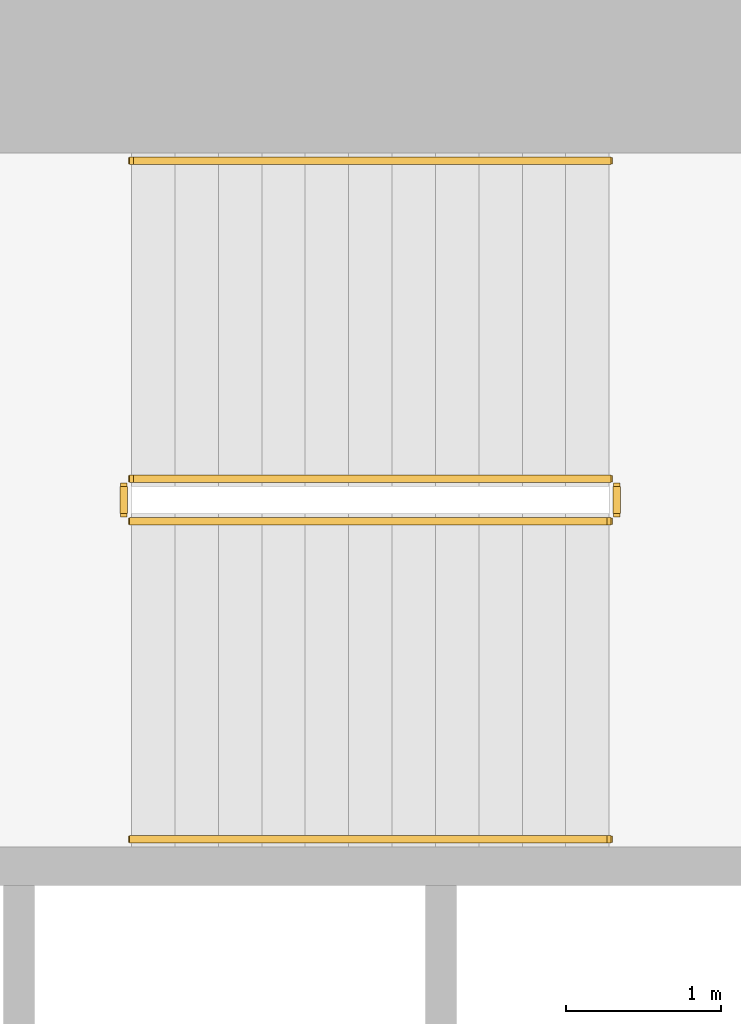
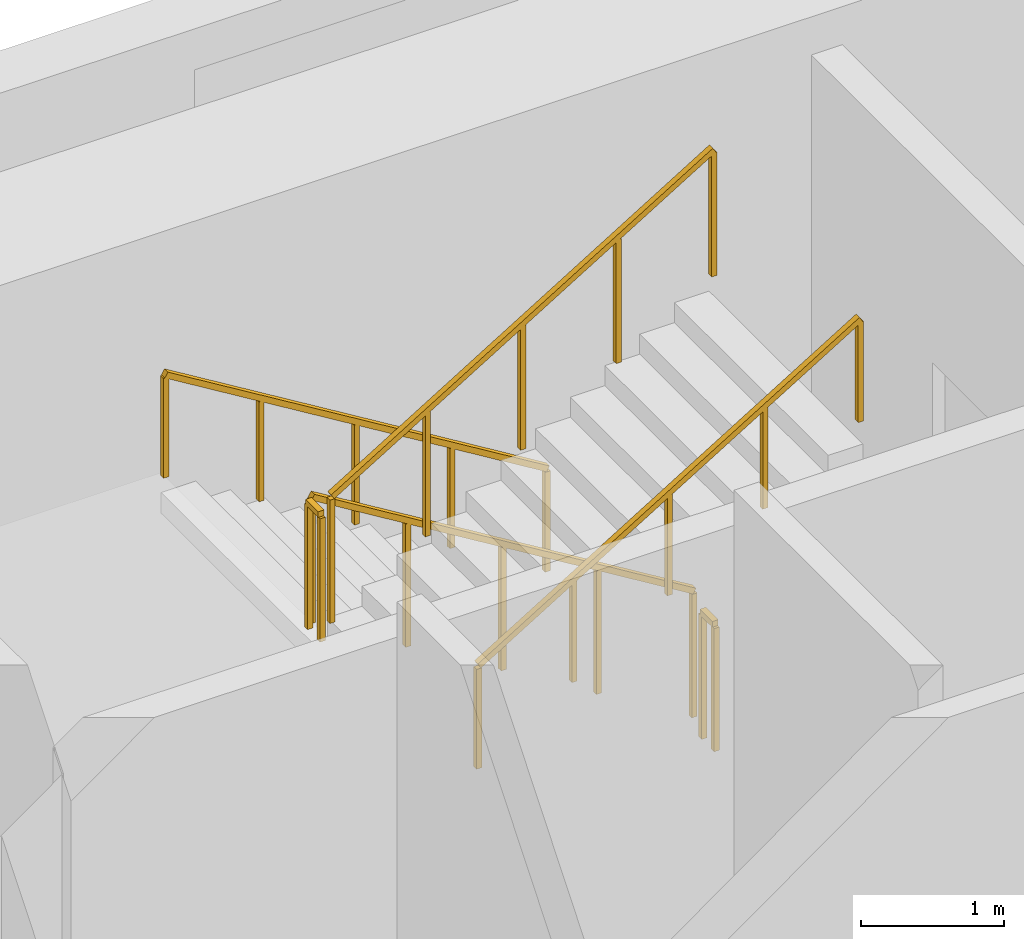
# One storey, part 13 of 14: 6 railings.
"""IFC4 building model written with IfcOpenShell, lengths in metres."""

from ifc_helpers import new_model, si_unit, direction, frame, origin, origin_2d, place, context, subcontext, project, spatial, rectangle, extrude, material, type_object, element, save


model = new_model("IFC4")

# Units and contexts
model_context = context("Model", 3, precision=1e-05, world=origin(), true_north=direction((0.0, 1.0)))
body_context = subcontext(model_context, "Body", "Model", "MODEL_VIEW")
ifc_project = project(units=[si_unit("LENGTHUNIT", "METRE"), si_unit("AREAUNIT", "SQUARE_METRE"), si_unit("VOLUMEUNIT", "CUBIC_METRE"), si_unit("PLANEANGLEUNIT", "RADIAN"), si_unit("MASSUNIT", "GRAM", prefix="KILO")], contexts=[model_context])

# Site, building, storey
site_placement = place(None, origin())
site = spatial("IfcSite", under=ifc_project, at=site_placement, CompositionType="ELEMENT")
building_placement = place(site_placement, origin())
building = spatial("IfcBuilding", under=site, at=building_placement, Name="Cypress Arch Tower", CompositionType="ELEMENT")
storey_placement = place(building_placement, frame((0.0, 0.0, 296.699951171875)))
storey = spatial("IfcBuildingStorey", under=building, at=storey_placement, Name="L67", CompositionType="ELEMENT", Elevation=296.699951171875)

# Railings
ifc_material_1 = material(Name="Black powder-coated steel square bar 48 mm", Category="steel")
railing_type_1 = type_object("IfcRailingType", Name="Stair handrail HR1", PredefinedType="HANDRAIL", material=ifc_material_1)
railing_1_placement = place(storey_placement, frame((-22.27490234375, 14.75, 0.1708984375)))
element("IfcRailing", 1, at=railing_1_placement, inside=storey, type_object=railing_type_1, Name="L67 B stair handrail 1", PredefinedType="HANDRAIL", context=body_context, shape_type="SweptSolid", body=[
    extrude(rectangle(XDim=0.048095703125, YDim=0.048095703125, at=origin_2d()), frame((0.0, 0.0, 0.8759765625), z_axis=(-0.853666305674, 0.0, 0.52082035152), x_axis=(0.0, -1.0, 0.0)), (0.0, 0.0, 1.0), 3.608154296875),
    extrude(rectangle(XDim=0.0419921875, YDim=0.0419921875, at=origin_2d()), origin(), (0.0, 0.0, 1.0), 0.851806640625),
    extrude(rectangle(XDim=0.0419921875, YDim=0.0419921875, at=origin_2d()), frame((-0.77001953125, 0.0, 0.4697265625)), (0.0, 0.0, 1.0), 0.851806640625),
    extrude(rectangle(XDim=0.0419921875, YDim=0.0419921875, at=origin_2d()), frame((-1.5400390625, 0.0, 0.939453125)), (0.0, 0.0, 1.0), 0.851806640625),
    extrude(rectangle(XDim=0.0419921875, YDim=0.0419921875, at=origin_2d()), frame((-2.31005859375, 0.0, 1.409423828125)), (0.0, 0.0, 1.0), 0.851806640625),
    extrude(rectangle(XDim=0.0419921875, YDim=0.0419921875, at=origin_2d()), frame((-3.080078125, 0.0, 1.879150390625)), (0.0, 0.0, 1.0), 0.851806640625),
])
railing_2_placement = place(storey_placement, frame((-25.35498046875, 10.375, 2.220947265625)))
element("IfcRailing", 2, at=railing_2_placement, inside=storey, type_object=railing_type_1, Name="L67 B stair handrail 2", PredefinedType="HANDRAIL", context=body_context, shape_type="SweptSolid", body=[
    extrude(rectangle(XDim=0.048095703125, YDim=0.048095703125, at=origin_2d()), frame((0.0, 0.0, 0.8759765625), z_axis=(0.853666305674, 0.0, 0.52082035152), x_axis=(0.0, 1.0, 0.0)), (0.0, 0.0, 1.0), 3.608154296875),
    extrude(rectangle(XDim=0.0419921875, YDim=0.0419921875, at=origin_2d()), origin(), (0.0, 0.0, 1.0), 0.851806640625),
    extrude(rectangle(XDim=0.0419921875, YDim=0.0419921875, at=origin_2d()), frame((0.77001953125, 0.0, 0.4697265625)), (0.0, 0.0, 1.0), 0.851806640625),
    extrude(rectangle(XDim=0.0419921875, YDim=0.0419921875, at=origin_2d()), frame((1.5400390625, 0.0, 0.939453125)), (0.0, 0.0, 1.0), 0.851806640625),
    extrude(rectangle(XDim=0.0419921875, YDim=0.0419921875, at=origin_2d()), frame((2.31005859375, 0.0, 1.409423828125)), (0.0, 0.0, 1.0), 0.851806640625),
    extrude(rectangle(XDim=0.0419921875, YDim=0.0419921875, at=origin_2d()), frame((3.080078125, 0.0, 1.879150390625)), (0.0, 0.0, 1.0), 0.851806640625),
])
ifc_material_2 = material(Name="Black powder-coated steel balusters", Category="steel")
railing_type_2 = type_object("IfcRailingType", Name="Stair well guard G1", PredefinedType="GUARDRAIL", material=ifc_material_2)
railing_3_placement = place(storey_placement, frame((-22.27490234375, 12.699951171875, 0.1708984375)))
element("IfcRailing", 3, at=railing_3_placement, inside=storey, type_object=railing_type_2, Name="L67 B stair guard 1", PredefinedType="GUARDRAIL", context=body_context, shape_type="SweptSolid", body=[
    extrude(rectangle(XDim=0.048095703125, YDim=0.048095703125, at=origin_2d()), frame((0.0, 0.0, 1.076171875), z_axis=(-0.853666305674, 0.0, 0.52082035152), x_axis=(0.0, -1.0, 0.0)), (0.0, 0.0, 1.0), 3.608154296875),
    extrude(rectangle(XDim=0.0419921875, YDim=0.0419921875, at=origin_2d()), origin(), (0.0, 0.0, 1.0), 1.052001953125),
    extrude(rectangle(XDim=0.0419921875, YDim=0.0419921875, at=origin_2d()), frame((-0.77001953125, 0.0, 0.4697265625)), (0.0, 0.0, 1.0), 1.052001953125),
    extrude(rectangle(XDim=0.0419921875, YDim=0.0419921875, at=origin_2d()), frame((-1.5400390625, 0.0, 0.939453125)), (0.0, 0.0, 1.0), 1.052001953125),
    extrude(rectangle(XDim=0.0419921875, YDim=0.0419921875, at=origin_2d()), frame((-2.31005859375, 0.0, 1.409423828125)), (0.0, 0.0, 1.0), 1.052001953125),
    extrude(rectangle(XDim=0.0419921875, YDim=0.0419921875, at=origin_2d()), frame((-3.080078125, 0.0, 1.879150390625)), (0.0, 0.0, 1.0), 1.052001953125),
])
railing_4_placement = place(storey_placement, frame((-25.405029296875, 12.64990234375, 2.050048828125)))
element("IfcRailing", 4, at=railing_4_placement, inside=storey, type_object=railing_type_2, Name="L67 B stair guard 2", PredefinedType="GUARDRAIL", context=body_context, shape_type="SweptSolid", body=[
    extrude(rectangle(XDim=0.048095703125, YDim=0.048095703125, at=origin_2d()), frame((0.0, 0.0, 1.076171875), z_axis=(0.0, -1.0, 0.0), x_axis=(1.0, 0.0, 0.0)), (0.0, 0.0, 1.0), 0.1748046875),
    extrude(rectangle(XDim=0.0419921875, YDim=0.0419921875, at=origin_2d()), origin(), (0.0, 0.0, 1.0), 1.052001953125),
    extrude(rectangle(XDim=0.0419921875, YDim=0.0419921875, at=origin_2d()), frame((0.0, -0.1748046875, 0.0)), (0.0, 0.0, 1.0), 1.052001953125),
])
railing_5_placement = place(storey_placement, frame((-25.35498046875, 12.425048828125, 2.220947265625)))
element("IfcRailing", 5, at=railing_5_placement, inside=storey, type_object=railing_type_2, Name="L67 B stair guard 3", PredefinedType="GUARDRAIL", context=body_context, shape_type="SweptSolid", body=[
    extrude(rectangle(XDim=0.048095703125, YDim=0.048095703125, at=origin_2d()), frame((0.0, 0.0, 1.076171875), z_axis=(0.853666305674, 0.0, 0.52082035152), x_axis=(0.0, 1.0, 0.0)), (0.0, 0.0, 1.0), 3.608154296875),
    extrude(rectangle(XDim=0.0419921875, YDim=0.0419921875, at=origin_2d()), origin(), (0.0, 0.0, 1.0), 1.052001953125),
    extrude(rectangle(XDim=0.0419921875, YDim=0.0419921875, at=origin_2d()), frame((0.77001953125, 0.0, 0.4697265625)), (0.0, 0.0, 1.0), 1.052001953125),
    extrude(rectangle(XDim=0.0419921875, YDim=0.0419921875, at=origin_2d()), frame((1.5400390625, 0.0, 0.939453125)), (0.0, 0.0, 1.0), 1.052001953125),
    extrude(rectangle(XDim=0.0419921875, YDim=0.0419921875, at=origin_2d()), frame((2.31005859375, 0.0, 1.409423828125)), (0.0, 0.0, 1.0), 1.052001953125),
    extrude(rectangle(XDim=0.0419921875, YDim=0.0419921875, at=origin_2d()), frame((3.080078125, 0.0, 1.879150390625)), (0.0, 0.0, 1.0), 1.052001953125),
])
railing_6_placement = place(storey_placement, frame((-22.22509765625, 12.64990234375, 0.0)))
element("IfcRailing", 6, at=railing_6_placement, inside=storey, type_object=railing_type_2, Name="L67 B stair guard 4", PredefinedType="GUARDRAIL", context=body_context, shape_type="SweptSolid", body=[
    extrude(rectangle(XDim=0.048095703125, YDim=0.048095703125, at=origin_2d()), frame((0.0, 0.0, 1.076171875), z_axis=(0.0, -1.0, 0.0), x_axis=(1.0, 0.0, 0.0)), (0.0, 0.0, 1.0), 0.1748046875),
    extrude(rectangle(XDim=0.0419921875, YDim=0.0419921875, at=origin_2d()), origin(), (0.0, 0.0, 1.0), 1.052001953125),
    extrude(rectangle(XDim=0.0419921875, YDim=0.0419921875, at=origin_2d()), frame((0.0, -0.1748046875, 0.0)), (0.0, 0.0, 1.0), 1.052001953125),
])

save(model, "model.ifc")
